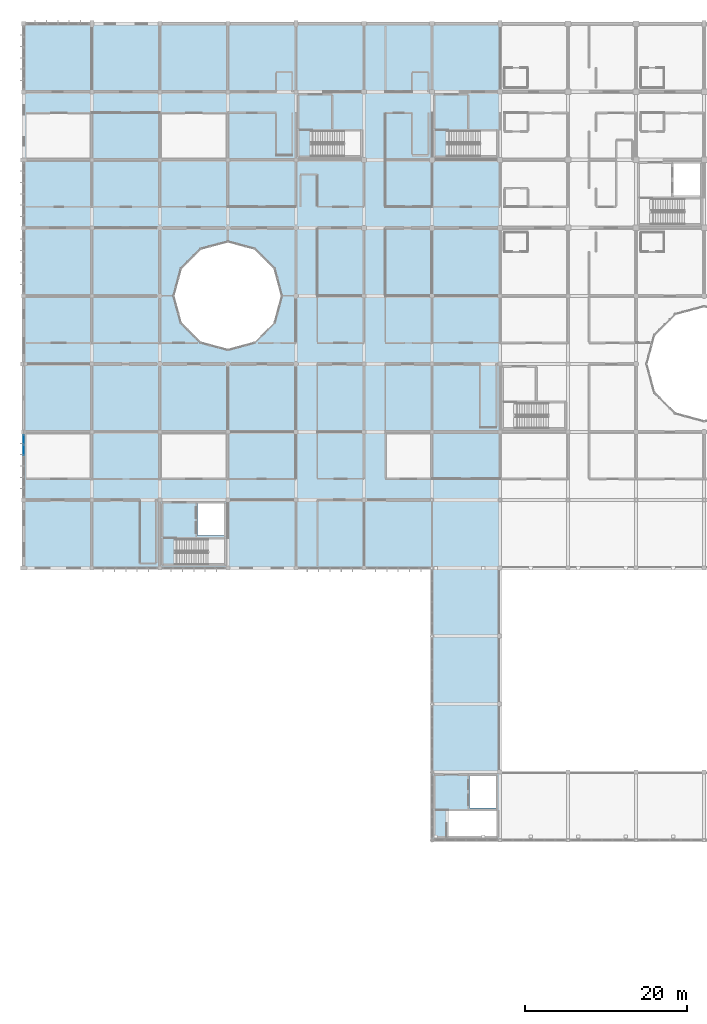
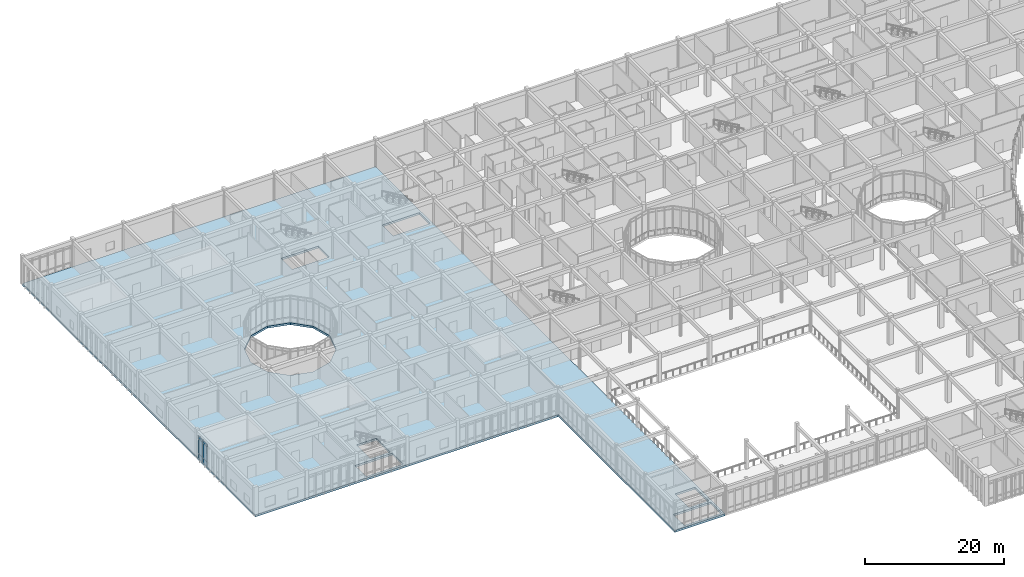
# One storey, part 73 of 134: 6 plates, 1 slab, 1 element without a shape of its own.
"""IFC4 building model written with IfcOpenShell, lengths in metres."""

from ifc_helpers import new_model, si_unit, direction, frame, origin, origin_2d, place, context, subcontext, project, spatial, polyline, rectangle, outline, extrude, material, layer, layer_set, type_object, element, aggregate, save


model = new_model("IFC4")

# Units and contexts
model_context = context("Model", 3, precision=1e-05, world=origin(), true_north=direction((0.0, 1.0)))
body_context = subcontext(model_context, "Body", "Model", "MODEL_VIEW")
ifc_project = project(units=[si_unit("LENGTHUNIT", "METRE"), si_unit("AREAUNIT", "SQUARE_METRE"), si_unit("VOLUMEUNIT", "CUBIC_METRE"), si_unit("PLANEANGLEUNIT", "RADIAN"), si_unit("MASSUNIT", "GRAM", prefix="KILO")], contexts=[model_context])

# Site, building, storey
site_placement = place(None, origin())
site = spatial("IfcSite", under=ifc_project, at=site_placement, CompositionType="ELEMENT")
building_placement = place(site_placement, origin())
building = spatial("IfcBuilding", under=site, at=building_placement, Name="Bramfleet General Hospital", CompositionType="ELEMENT")
storey_placement = place(building_placement, frame((0.0, 0.0, 9.300048828125)))
storey = spatial("IfcBuildingStorey", under=building, at=storey_placement, Name="L02", CompositionType="ELEMENT", Elevation=9.300048828125)

# Curtain wall, plates
ifc_material_1 = material(Name="Anodised aluminium and low-E triple glazing", Category="aluminium")
ifc_layer_1 = layer(ifc_material_1, 0.179931640625, Name="CWT-CW-04")
ifc_layer_set_1 = layer_set([ifc_layer_1], Name="Anodised aluminium and low-E triple glazing")
curtain_wall_type = type_object("IfcCurtainWallType", Name="CWT-CW-04", PredefinedType="USERDEFINED", material=ifc_layer_set_1)
curtain_wall_placement = place(storey_placement, origin())
curtain_wall = element("IfcCurtainWall", 1, at=curtain_wall_placement, inside=storey, type_object=curtain_wall_type, Name="L02 Curtain Wall 94", ObjectType="Unitised curtain wall", PredefinedType="USERDEFINED")
ifc_material_2 = material(Name="Low-E laminated safety glass", Category="glass")
ifc_layer_2 = layer(ifc_material_2, 0.031982421875, Name="CWP-GLZ-2")
ifc_layer_set_2 = layer_set([ifc_layer_2], Name="Low-E laminated safety glass")
plate_type = type_object("IfcPlateType", Name="CWP-GLZ-2", PredefinedType="CURTAIN_PANEL", material=ifc_layer_set_2)
plate_1_placement = place(storey_placement, frame((0.0, 64.9375, 0.06494140625), z_axis=(0.0, 0.0, 1.0), x_axis=(0.0, 1.0, 0.0)))
plate_1 = element("IfcPlate", 2, at=plate_1_placement, type_object=plate_type, Name="CW-04 panel 5.1", PredefinedType="CURTAIN_PANEL", context=body_context, shape_type="SweptSolid", body=[
    extrude(rectangle(XDim=1.2216796875, YDim=0.031982421875, at=origin_2d()), origin(), (0.0, 0.0, 1.0), 0.802490234375),
])
plate_2_placement = place(storey_placement, frame((0.0, 64.9375, 0.9326171875), z_axis=(0.0, 0.0, 1.0), x_axis=(0.0, 1.0, 0.0)))
plate_2 = element("IfcPlate", 3, at=plate_2_placement, type_object=plate_type, Name="CW-04 panel 5.2", PredefinedType="CURTAIN_PANEL", context=body_context, shape_type="SweptSolid", body=[
    extrude(rectangle(XDim=1.2216796875, YDim=0.031982421875, at=origin_2d()), origin(), (0.0, 0.0, 1.0), 2.554931640625),
])
plate_3_placement = place(storey_placement, frame((0.0, 64.9375, 3.552734375), z_axis=(0.0, 0.0, 1.0), x_axis=(0.0, 1.0, 0.0)))
plate_3 = element("IfcPlate", 4, at=plate_3_placement, type_object=plate_type, Name="CW-04 panel 5.3", PredefinedType="CURTAIN_PANEL", context=body_context, shape_type="SweptSolid", body=[
    extrude(rectangle(XDim=1.2216796875, YDim=0.031982421875, at=origin_2d()), origin(), (0.0, 0.0, 1.0), 0.452392578125),
])
plate_4_placement = place(storey_placement, frame((0.0, 66.211669921875, 0.06494140625), z_axis=(0.0, 0.0, 1.0), x_axis=(0.0, 1.0, 0.0)))
plate_4 = element("IfcPlate", 5, at=plate_4_placement, type_object=plate_type, Name="CW-04 panel 6.1", PredefinedType="CURTAIN_PANEL", context=body_context, shape_type="SweptSolid", body=[
    extrude(rectangle(XDim=1.186767578125, YDim=0.031982421875, at=origin_2d()), origin(), (0.0, 0.0, 1.0), 0.802490234375),
])
plate_5_placement = place(storey_placement, frame((0.0, 66.211669921875, 0.9326171875), z_axis=(0.0, 0.0, 1.0), x_axis=(0.0, 1.0, 0.0)))
plate_5 = element("IfcPlate", 6, at=plate_5_placement, type_object=plate_type, Name="CW-04 panel 6.2", PredefinedType="CURTAIN_PANEL", context=body_context, shape_type="SweptSolid", body=[
    extrude(rectangle(XDim=1.186767578125, YDim=0.031982421875, at=origin_2d()), origin(), (0.0, 0.0, 1.0), 2.554931640625),
])
plate_6_placement = place(storey_placement, frame((0.0, 66.211669921875, 3.552734375), z_axis=(0.0, 0.0, 1.0), x_axis=(0.0, 1.0, 0.0)))
plate_6 = element("IfcPlate", 7, at=plate_6_placement, type_object=plate_type, Name="CW-04 panel 6.3", PredefinedType="CURTAIN_PANEL", context=body_context, shape_type="SweptSolid", body=[
    extrude(rectangle(XDim=1.186767578125, YDim=0.031982421875, at=origin_2d()), origin(), (0.0, 0.0, 1.0), 0.452392578125),
])
aggregate(curtain_wall, [plate_1, plate_2, plate_3, plate_4, plate_5, plate_6])

# Slab
ifc_material_3 = material(Name="Concrete C35/45", Category="concrete")
ifc_layer_3 = layer(ifc_material_3, 0.35009765625, Name="SL-FLR-350")
ifc_layer_set_3 = layer_set([ifc_layer_3], Name="Concrete C35/45")
slab_type = type_object("IfcSlabType", Name="SL-FLR-350", PredefinedType="FLOOR", material=ifc_layer_set_3)
slab_placement = place(storey_placement, frame((0.0, 0.0, -0.35009765625)))
element("IfcSlab", 8, at=slab_placement, inside=storey, type_object=slab_type, Name="L02 Structural Floor Slab (WEST)", PredefinedType="FLOOR", context=body_context, shape_type="SweptSolid", body=[
    extrude(outline(polyline([(0.0, 58.800048828125), (0.0, 67.199951171875), (0.0, 75.60009765625), (0.0, 84.0), (0.0, 92.39990234375), (0.0, 100.800048828125), (0.0, 109.199951171875), (0.0, 117.60009765625), (8.39990234375, 117.60009765625), (16.800048828125, 117.60009765625), (25.199951171875, 117.60009765625), (33.60009765625, 117.60009765625), (42.0, 117.60009765625), (50.39990234375, 117.60009765625), (58.800048828125, 117.60009765625), (58.800048828125, 50.39990234375), (58.800048828125, 25.199951171875), (58.800048828125, 16.800048828125), (50.39990234375, 16.800048828125), (50.39990234375, 25.199951171875), (50.39990234375, 33.60009765625), (50.39990234375, 42.0), (50.39990234375, 50.39990234375), (42.0, 50.39990234375), (33.60009765625, 50.39990234375), (25.199951171875, 50.39990234375), (16.800048828125, 50.39990234375), (8.39990234375, 50.39990234375), (0.0, 50.39990234375), (0.0, 58.800048828125)]), holes=[polyline([(19.484130859375, 80.699951171875), (21.89990234375, 78.2841796875), (25.199951171875, 77.39990234375), (28.5, 78.2841796875), (30.915771484375, 80.699951171875), (31.800048828125, 84.0), (30.915771484375, 87.300048828125), (28.5, 89.7158203125), (25.199951171875, 90.60009765625), (21.89990234375, 89.7158203125), (19.484130859375, 87.300048828125), (18.60009765625, 84.0), (19.484130859375, 80.699951171875)]), polyline([(52.239990234375, 17.219970703125), (58.4599609375, 17.219970703125), (58.4599609375, 20.3798828125), (52.239990234375, 20.3798828125), (52.239990234375, 17.219970703125)]), polyline([(55.02001953125, 20.800048828125), (58.35009765625, 20.800048828125), (58.35009765625, 24.75), (55.02001953125, 24.75), (55.02001953125, 20.800048828125)]), polyline([(18.639892578125, 50.820068359375), (24.860107421875, 50.820068359375), (24.860107421875, 53.97998046875), (18.639892578125, 53.97998046875), (18.639892578125, 50.820068359375)]), polyline([(21.419921875, 54.39990234375), (24.75, 54.39990234375), (24.75, 58.35009765625), (21.419921875, 58.35009765625), (21.419921875, 54.39990234375)]), polyline([(35.43994140625, 101.219970703125), (41.659912109375, 101.219970703125), (41.659912109375, 104.3798828125), (35.43994140625, 104.3798828125), (35.43994140625, 101.219970703125)]), polyline([(52.239990234375, 101.219970703125), (58.4599609375, 101.219970703125), (58.4599609375, 104.3798828125), (52.239990234375, 104.3798828125), (52.239990234375, 101.219970703125)])]), origin(), (0.0, 0.0, 1.0), 0.35009765625),
])

save(model, "model.ifc")
